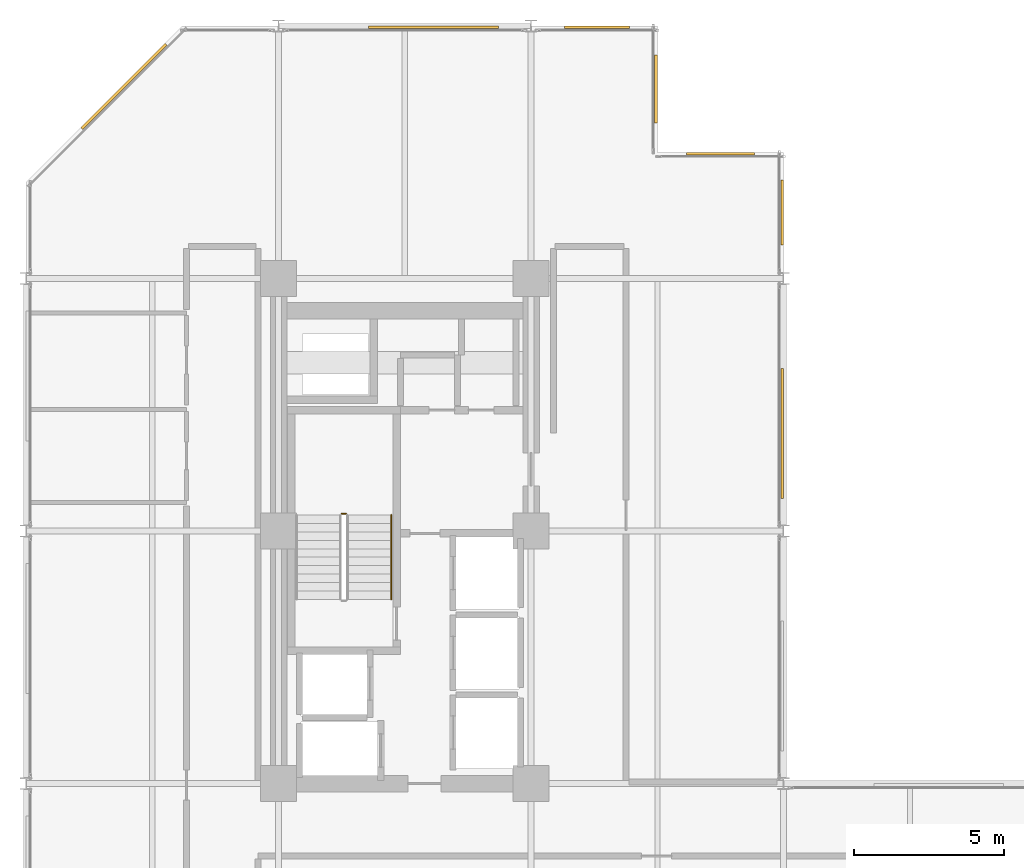
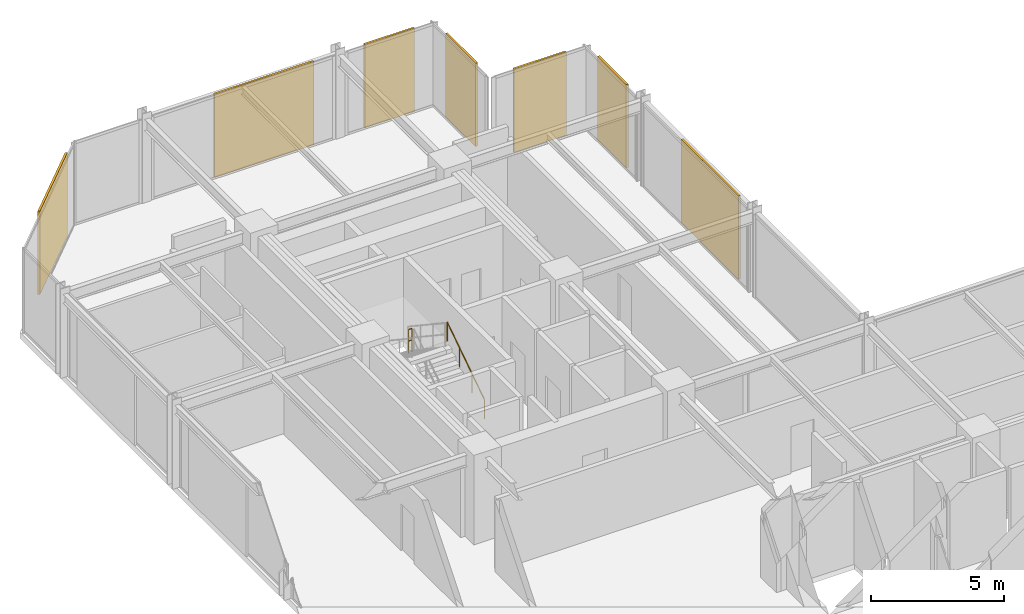
# One storey, part 38 of 38: 7 coverings, 2 railings.
"""IFC4 building model written with IfcOpenShell, lengths in metres."""

from ifc_helpers import new_model, si_unit, direction, frame, origin, origin_2d, place, context, subcontext, project, spatial, rectangle, circle, extrude, material, layer, layer_set, type_object, element, save


model = new_model("IFC4")

# Units and contexts
model_context = context("Model", 3, precision=1e-05, world=origin(), true_north=direction((0.0, 1.0)))
body_context = subcontext(model_context, "Body", "Model", "MODEL_VIEW")
ifc_project = project(units=[si_unit("LENGTHUNIT", "METRE"), si_unit("AREAUNIT", "SQUARE_METRE"), si_unit("VOLUMEUNIT", "CUBIC_METRE"), si_unit("PLANEANGLEUNIT", "RADIAN"), si_unit("MASSUNIT", "GRAM", prefix="KILO")], contexts=[model_context])

# Site, building, storey
site_placement = place(None, origin())
site = spatial("IfcSite", under=ifc_project, at=site_placement, CompositionType="ELEMENT")
building_placement = place(site_placement, origin())
building = spatial("IfcBuilding", under=site, at=building_placement, Name="Nerrivon Quay Data Exchange", CompositionType="ELEMENT")
storey_placement = place(building_placement, frame((0.0, 0.0, 96.699951171875)))
storey = spatial("IfcBuildingStorey", under=building, at=storey_placement, Name="L22", CompositionType="ELEMENT", Elevation=96.699951171875)

# Coverings
ifc_material_1 = material(Name="Architectural terracotta ceramic", Category="masonry")
ifc_layer = layer(ifc_material_1, 0.090087890625)
ifc_layer_set = layer_set([ifc_layer], Name="Architectural terracotta ceramic")
covering_type = type_object("IfcCoveringType", Name="COV-SCR-TERR", PredefinedType="CLADDING", material=ifc_layer_set)
covering_1_placement = place(storey_placement, frame((3.255859375, 48.39208984375, 0.0), z_axis=(0.0, 0.0, 1.0), x_axis=(0.707106781187, 0.707106781187, 0.0)))
element("IfcCovering", 1, at=covering_1_placement, inside=storey, type_object=covering_type, Name="L22 Perforated Terracotta SOLAR SCREEN Cassette", PredefinedType="CLADDING", context=body_context, shape_type="SweptSolid", body=[
    extrude(rectangle(XDim=3.970947265625, YDim=0.090087890625, at=origin_2d()), origin(), (0.0, 0.0, 1.0), 3.824951171875),
])
covering_2_placement = place(storey_placement, frame((13.56005859375, 50.35498046875, 0.0), z_axis=(0.0, 0.0, 1.0), x_axis=(1.0, 0.0, 0.0)))
element("IfcCovering", 2, at=covering_2_placement, inside=storey, type_object=covering_type, Name="L22 Perforated Terracotta SOLAR SCREEN Cassette", PredefinedType="CLADDING", context=body_context, shape_type="SweptSolid", body=[
    extrude(rectangle(XDim=4.320068359375, YDim=0.090087890625, at=origin_2d()), origin(), (0.0, 0.0, 1.0), 3.824951171875),
])
covering_3_placement = place(storey_placement, frame((19.0, 50.35498046875, 0.0), z_axis=(0.0, 0.0, 1.0), x_axis=(1.0, 0.0, 0.0)))
element("IfcCovering", 3, at=covering_3_placement, inside=storey, type_object=covering_type, Name="L22 Perforated Terracotta SOLAR SCREEN Cassette", PredefinedType="CLADDING", context=body_context, shape_type="SweptSolid", body=[
    extrude(rectangle(XDim=2.159912109375, YDim=0.090087890625, at=origin_2d()), origin(), (0.0, 0.0, 1.0), 3.824951171875),
])
for number, where, z_axis, x_axis, name in (
    (4, (20.955078125, 48.300048828125, 0.0), (0.0, 0.0, 1.0), (0.0, -1.0, 0.0), "L22 Perforated Terracotta SOLAR SCREEN Cassette"),
    (5, (23.10009765625, 46.155029296875, 0.0), (0.0, 0.0, 1.0), (1.0, 0.0, 0.0), "L22 Perforated Terracotta SOLAR SCREEN Cassette"),
):
    element("IfcCovering", number, at=place(storey_placement, frame(where, z_axis=z_axis, x_axis=x_axis)), inside=storey, type_object=covering_type, Name=name, PredefinedType="CLADDING", context=body_context, shape_type="SweptSolid", body=[
        extrude(rectangle(XDim=2.26806640625, YDim=0.090087890625, at=origin_2d()), origin(), (0.0, 0.0, 1.0), 3.824951171875),
    ])
covering_4_placement = place(storey_placement, frame((25.155029296875, 44.199951171875, 0.0), z_axis=(0.0, 0.0, 1.0), x_axis=(0.0, -1.0, 0.0)))
element("IfcCovering", 6, at=covering_4_placement, inside=storey, type_object=covering_type, Name="L22 Perforated Terracotta SOLAR SCREEN Cassette", PredefinedType="CLADDING", context=body_context, shape_type="SweptSolid", body=[
    extrude(rectangle(XDim=2.159912109375, YDim=0.090087890625, at=origin_2d()), origin(), (0.0, 0.0, 1.0), 3.824951171875),
])
covering_5_placement = place(storey_placement, frame((25.155029296875, 36.840087890625, 0.0), z_axis=(0.0, 0.0, 1.0), x_axis=(0.0, -1.0, 0.0)))
element("IfcCovering", 7, at=covering_5_placement, inside=storey, type_object=covering_type, Name="L22 Perforated Terracotta SOLAR SCREEN Cassette", PredefinedType="CLADDING", context=body_context, shape_type="SweptSolid", body=[
    extrude(rectangle(XDim=4.320068359375, YDim=0.090087890625, at=origin_2d()), origin(), (0.0, 0.0, 1.0), 3.824951171875),
])

# Railings
ifc_material_2 = material(Name="Steel Grade C350L0 (350 MPa)", Category="steel")
railing_type_1 = type_object("IfcRailingType", Name="RAIL-HAND-HR1", PredefinedType="HANDRAIL", material=ifc_material_2)
railing_1_placement = place(storey_placement, frame((12.14990234375, 31.330078125, 0.1865234375)))
element("IfcRailing", 8, at=railing_1_placement, inside=storey, type_object=railing_type_1, Name="L22 ST01 stair handrail 1", PredefinedType="HANDRAIL", context=body_context, shape_type="SweptSolid", body=[
    extrude(circle(Radius=0.02392578125, at=origin_2d()), frame((0.0, 0.0, 0.8759765625), z_axis=(0.0, 0.832463268671, 0.554080234545), x_axis=(-1.0, 0.0, 0.0)), (0.0, 0.0, 1.0), 3.36328125),
    extrude(circle(Radius=0.02099609375, at=origin_2d()), origin(), (0.0, 0.0, 1.0), 0.851806640625),
    extrude(circle(Radius=0.02099609375, at=origin_2d()), frame((0.0, 0.933349609375, 0.62109375)), (0.0, 0.0, 1.0), 0.851806640625),
    extrude(circle(Radius=0.02099609375, at=origin_2d()), frame((0.0, 1.866455078125, 1.242431640625)), (0.0, 0.0, 1.0), 0.851806640625),
    extrude(circle(Radius=0.02099609375, at=origin_2d()), frame((0.0, 2.7998046875, 1.863525390625)), (0.0, 0.0, 1.0), 0.851806640625),
])
railing_type_2 = type_object("IfcRailingType", Name="RAIL-STAIR-GR1", PredefinedType="BALUSTRADE", material=ifc_material_2)
railing_2_placement = place(storey_placement, frame((10.64990234375, 34.179931640625, 2.050048828125)))
element("IfcRailing", 9, at=railing_2_placement, inside=storey, type_object=railing_type_2, Name="L22 ST01 stair guard 2", PredefinedType="BALUSTRADE", context=body_context, shape_type="SweptSolid", body=[
    extrude(circle(Radius=0.02392578125, at=origin_2d()), frame((0.0, 0.0, 1.076171875), z_axis=(-1.0, 0.0, 0.0), x_axis=(0.0, -1.0, 0.0)), (0.0, 0.0, 1.0), 0.14990234375),
    extrude(circle(Radius=0.02392578125, at=origin_2d()), frame((0.0, 0.0, 0.550048828125), z_axis=(-1.0, 0.0, 0.0), x_axis=(0.0, -1.0, 0.0)), (0.0, 0.0, 1.0), 0.14990234375),
    extrude(circle(Radius=0.02099609375, at=origin_2d()), origin(), (0.0, 0.0, 1.0), 1.052001953125),
    extrude(circle(Radius=0.02099609375, at=origin_2d()), frame((-0.14990234375, 0.0, 0.0)), (0.0, 0.0, 1.0), 1.052001953125),
])

save(model, "model.ifc")
